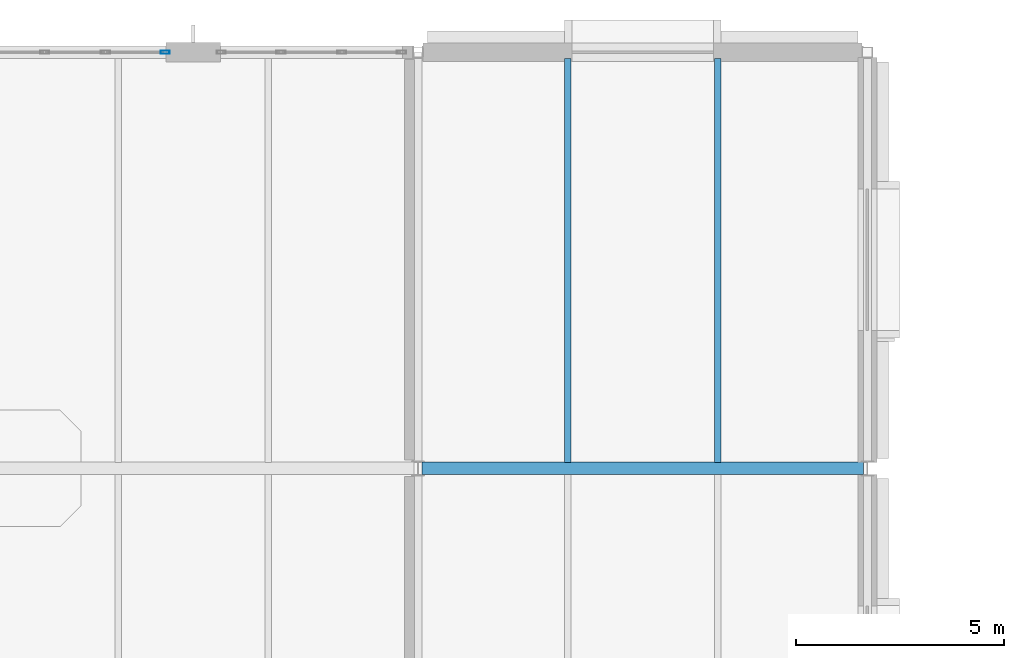
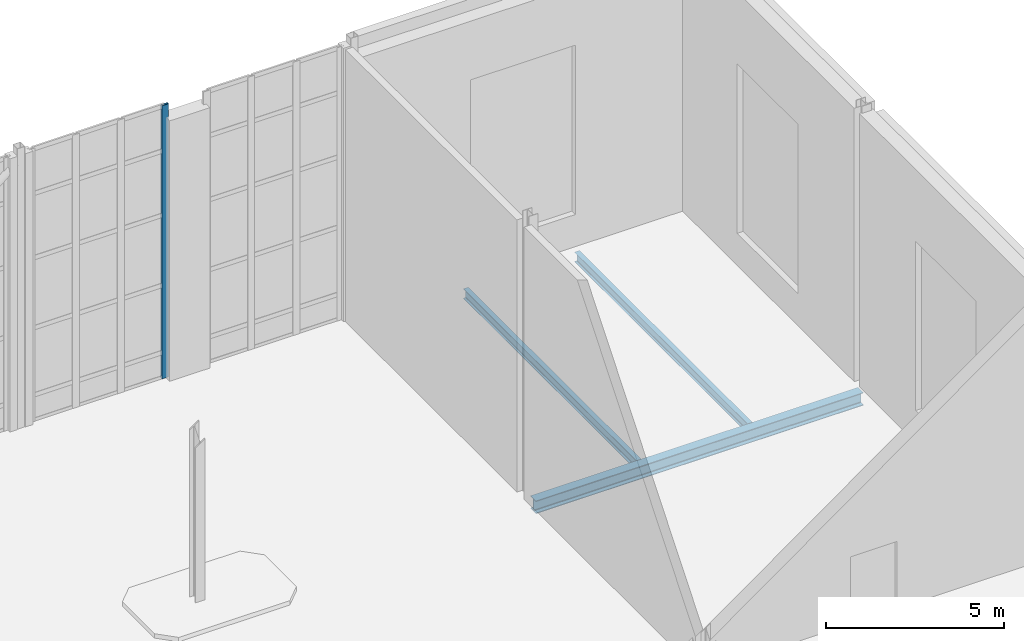
# One storey, part 56 of 100: 3 beams, 1 member, 1 element without a shape of its own.
"""IFC4 building model written with IfcOpenShell, lengths in metres."""

from ifc_helpers import new_model, si_unit, direction, frame, origin, origin_2d, place, context, subcontext, project, spatial, hollow_rectangle, i_section, extrude, material, layer, layer_set, material_profile, profile_set, type_object, element, aggregate, save


model = new_model("IFC4")

# Units and contexts
model_context = context("Model", 3, precision=1e-05, world=origin(), true_north=direction((0.0, 1.0)))
body_context = subcontext(model_context, "Body", "Model", "MODEL_VIEW")
ifc_project = project(units=[si_unit("LENGTHUNIT", "METRE"), si_unit("AREAUNIT", "SQUARE_METRE"), si_unit("VOLUMEUNIT", "CUBIC_METRE"), si_unit("PLANEANGLEUNIT", "RADIAN"), si_unit("MASSUNIT", "GRAM", prefix="KILO")], contexts=[model_context])

# Site, building, storey
site_placement = place(None, origin())
site = spatial("IfcSite", under=ifc_project, at=site_placement, CompositionType="ELEMENT")
building_placement = place(site_placement, origin())
building = spatial("IfcBuilding", under=site, at=building_placement, Name="Tasgan Crest Museum", CompositionType="ELEMENT")
storey_placement = place(building_placement, frame((0.0, 0.0, 14.39990234375)))
storey = spatial("IfcBuildingStorey", under=building, at=storey_placement, Name="L03", CompositionType="ELEMENT", Elevation=14.39990234375)

# Beams
ifc_material_1 = material(Name="Steel S355J2", Category="steel")
ifc_material_profile_1 = material_profile(ifc_material_1, i_section(OverallWidth=0.300048828125, OverallDepth=0.43994140625, WebThickness=0.011474609375, FlangeThickness=0.02099609375, FilletRadius=0.027099609375, at=origin_2d()), Name="HEA 450")
ifc_profile_set_1 = profile_set([ifc_material_profile_1], Name="Steel S355J2")
beam_type_1 = type_object("IfcBeamType", Name="BM-G-HEA450", PredefinedType="BEAM", material=ifc_profile_set_1)
beam_placement = place(storey_placement, frame((86.49609375, 102.0, -0.4599609375), z_axis=(1.0, 0.0, 0.0), x_axis=(0.0, 1.0, 0.0)))
element("IfcBeam", 1, at=beam_placement, inside=storey, type_object=beam_type_1, Name="Girder L03 L 86.4-97.2", PredefinedType="BEAM", context=body_context, shape_type="SweptSolid", body=[
    extrude(i_section(OverallWidth=0.300048828125, OverallDepth=0.43994140625, WebThickness=0.011474609375, FlangeThickness=0.02099609375, FilletRadius=0.027099609375, at=origin_2d()), origin(), (0.0, 0.0, 1.0), 10.60791015625),
])
ifc_material_2 = material(Name="Steel S355J2", Category="steel")
ifc_material_profile_2 = material_profile(ifc_material_2, i_section(OverallWidth=0.159912109375, OverallDepth=0.330078125, WebThickness=0.007568359375, FlangeThickness=0.011474609375, FilletRadius=0.01806640625, at=origin_2d()), Name="IPE 330")
ifc_profile_set_2 = profile_set([ifc_material_profile_2], Name="Steel S355J2")
beam_type_2 = type_object("IfcBeamType", Name="BM-J-IPE330", PredefinedType="JOIST", material=ifc_profile_set_2)
for number, where, z_axis, x_axis, name in (
    (2, (90.0, 102.14501953125, -0.40478515625), (0.0, 1.0, 0.0), (-1.0, 0.0, 0.0), "Secondary joist L03 X=90.0 Y=102.0-112.0"),
    (3, (93.60009765625, 102.14501953125, -0.40478515625), (0.0, 1.0, 0.0), (-1.0, 0.0, 0.0), "Secondary joist L03 X=93.6 Y=102.0-112.0"),
):
    element("IfcBeam", number, at=place(storey_placement, frame(where, z_axis=z_axis, x_axis=x_axis)), inside=storey, type_object=beam_type_2, Name=name, PredefinedType="JOIST", context=body_context, shape_type="SweptSolid", body=[
        extrude(i_section(OverallWidth=0.159912109375, OverallDepth=0.330078125, WebThickness=0.007568359375, FlangeThickness=0.011474609375, FilletRadius=0.01806640625, at=origin_2d()), origin(), (0.0, 0.0, 1.0), 9.7099609375),
    ])

# Curtain wall, member
ifc_material_3 = material(Name="Triple-Glazed Aluminium Curtain Wall", Category="aluminium")
ifc_layer = layer(ifc_material_3, 0.179931640625, Name="CW-GAL-X-96")
ifc_layer_set = layer_set([ifc_layer], Name="Triple-Glazed Aluminium Curtain Wall")
curtain_wall_type = type_object("IfcCurtainWallType", Name="CW-GAL-X-96", PredefinedType="NOTDEFINED", material=ifc_layer_set)
curtain_wall_placement = place(storey_placement, origin())
curtain_wall = element("IfcCurtainWall", 4, at=curtain_wall_placement, inside=storey, type_object=curtain_wall_type, Name="Curtain wall L03 126", PredefinedType="NOTDEFINED")
ifc_material_4 = material(Name="Anodised Aluminium", Category="aluminium")
ifc_material_profile_3 = material_profile(ifc_material_4, hollow_rectangle(XDim=0.074951171875, YDim=0.219970703125, WallThickness=0.006103515625, at=origin_2d()), Name="ALU MULLION 220x75x6")
ifc_profile_set_3 = profile_set([ifc_material_profile_3], Name="Anodised Aluminium")
member_type = type_object("IfcMemberType", Name="CW-MULLION-220", PredefinedType="MULLION", material=ifc_profile_set_3)
member_placement = place(storey_placement, frame((80.324951171875, 112.0, 0.0), z_axis=(0.0, 0.0, 1.0), x_axis=(0.0, -1.0, 0.0)))
member = element("IfcMember", 5, at=member_placement, type_object=member_type, Name="CW14 mullion 1", PredefinedType="MULLION", context=body_context, shape_type="SweptSolid", body=[
    extrude(hollow_rectangle(XDim=0.074951171875, YDim=0.219970703125, WallThickness=0.006103515625, at=origin_2d()), origin(), (0.0, 0.0, 1.0), 9.360107421875),
])
aggregate(curtain_wall, [member])

save(model, "model.ifc")
